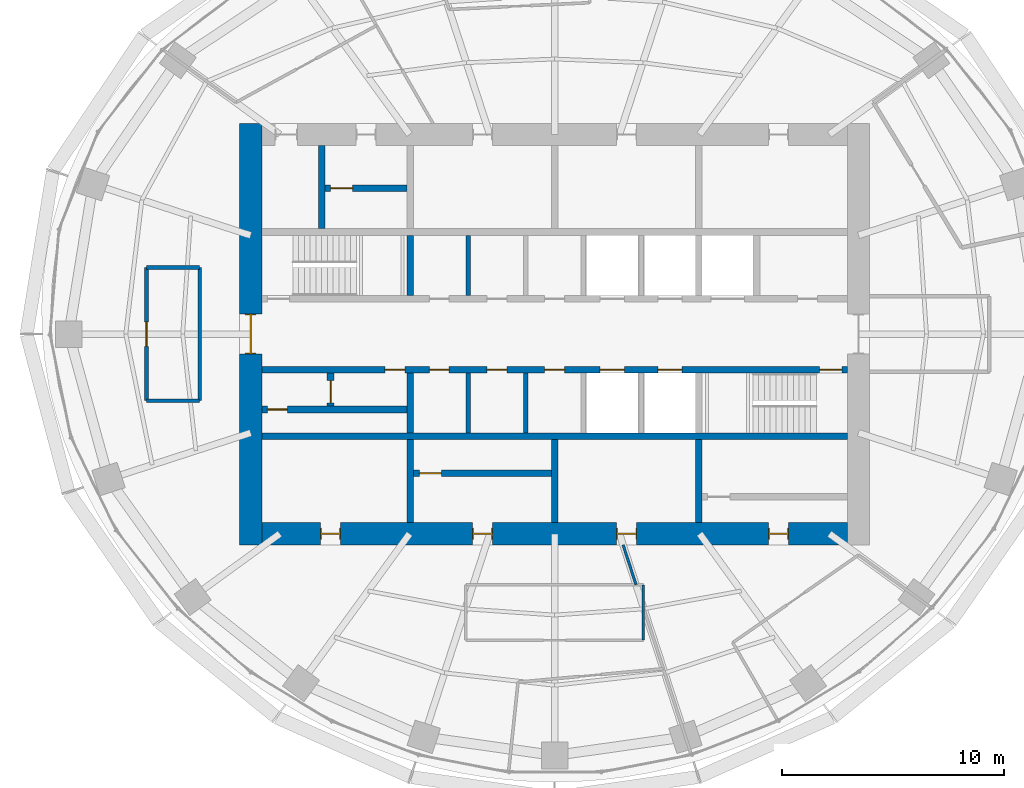
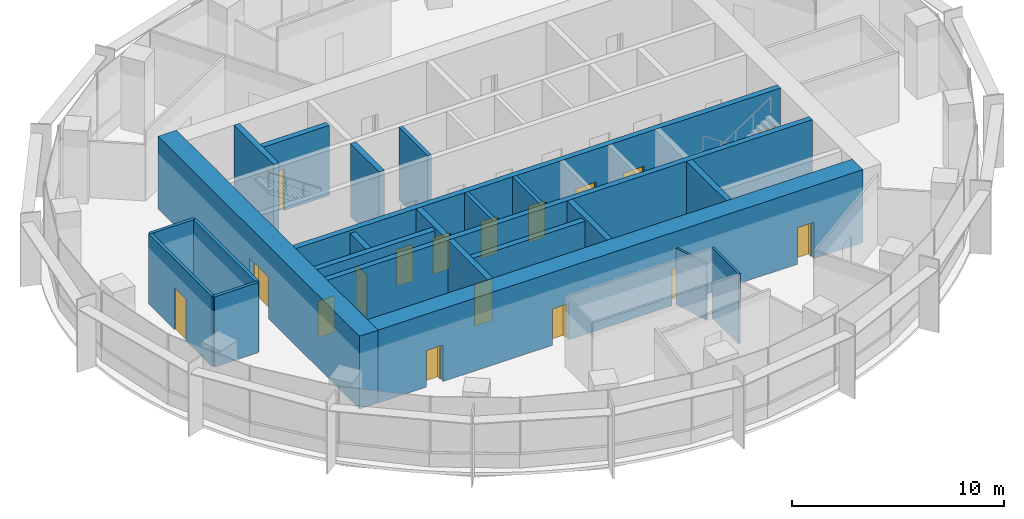
# One storey, part 9 of 13: 23 walls, 17 doors, 17 openings.
"""IFC4 building model written with IfcOpenShell, lengths in metres."""

from ifc_helpers import new_model, si_unit, direction, frame, frame_2d, origin, place, context, subcontext, project, spatial, rectangle, extrude, material, layer, layer_set, type_object, element, fill, save


model = new_model("IFC4")

# Units and contexts
model_context = context("Model", 3, precision=1e-05, world=origin(), true_north=direction((0.0, 1.0)))
body_context = subcontext(model_context, "Body", "Model", "MODEL_VIEW")
ifc_project = project(units=[si_unit("LENGTHUNIT", "METRE"), si_unit("AREAUNIT", "SQUARE_METRE"), si_unit("VOLUMEUNIT", "CUBIC_METRE"), si_unit("PLANEANGLEUNIT", "RADIAN"), si_unit("MASSUNIT", "GRAM", prefix="KILO")], contexts=[model_context])

# Site, building, storey
site_placement = place(None, origin())
site = spatial("IfcSite", under=ifc_project, at=site_placement, CompositionType="ELEMENT")
building_placement = place(site_placement, origin())
building = spatial("IfcBuilding", under=site, at=building_placement, Name="Marramba Exchange Tower", CompositionType="ELEMENT")
storey_placement = place(building_placement, frame((0.0, 0.0, 256.0)))
storey = spatial("IfcBuildingStorey", under=building, at=storey_placement, Name="L62", CompositionType="ELEMENT", Elevation=256.0)

# Walls
ifc_material_1 = material(Name="Plasterboard on staggered double steel studs, acoustic insulation", Category="steel")
ifc_layer_1 = layer(ifc_material_1, 0.169921875)
ifc_layer_set_1 = layer_set([ifc_layer_1], Name="Acoustic partition 170")
wall_type_1 = type_object("IfcWallType", Name="Acoustic partition 170", PredefinedType="PARTITIONING", material=ifc_layer_set_1)
for number, where, z_axis, x_axis, name in (
    (1, (-16.0, -3.0, 0.0), (0.0, 0.0, 1.0), (-1.0, 0.0, 0.0), "Acoustic partition L62 01"),
    (2, (-18.39990234375, 3.0, 0.0), (0.0, 0.0, 1.0), (1.0, 0.0, 0.0), "Acoustic partition L62 25"),
):
    element("IfcWall", number, at=place(storey_placement, frame(where, z_axis=z_axis, x_axis=x_axis)), inside=storey, type_object=wall_type_1, Name=name, PredefinedType="PARTITIONING", context=body_context, shape_type="SweptSolid", body=[
        extrude(rectangle(XDim=2.39990234375, YDim=0.169921875, at=frame_2d((1.199951171875, 0.0))), origin(), (0.0, 0.0, 1.0), 4.0400390625),
    ])

# Wall, opening, door
wall_1_placement = place(storey_placement, frame((-18.39990234375, -3.0, 0.0), z_axis=(0.0, 0.0, 1.0), x_axis=(0.0, 1.0, 0.0)))
wall_1 = element("IfcWall", 3, at=wall_1_placement, inside=storey, type_object=wall_type_1, Name="Acoustic partition L62 26", PredefinedType="PARTITIONING", context=body_context, shape_type="SweptSolid", body=[
    extrude(rectangle(XDim=6.0, YDim=0.169921875, at=frame_2d((3.0, 0.0))), origin(), (0.0, 0.0, 1.0), 4.0400390625),
])
opening_1_placement = place(wall_1_placement, frame((2.449951171875, 0.0, 0.0)))
opening_1 = element("IfcOpeningElement", 4, at=opening_1_placement, cuts=wall_1, Name="Opening D15", PredefinedType="OPENING", context=body_context, shape_type="SweptSolid", body=[
    extrude(rectangle(XDim=1.10009765625, YDim=2.39990234375, at=frame_2d((0.550048828125, 1.199951171875))), frame((0.0, 0.094970703125, 0.0), z_axis=(0.0, -1.0, 0.0), x_axis=(1.0, 0.0, 0.0)), (0.0, 0.0, 1.0), 0.18994140625),
])
ifc_material_2 = material(Name="Timber door", Category="wood")
door_type_1 = type_object("IfcDoorType", Name="Glazed meeting room door 1100x2400", OperationType="SINGLE_SWING_LEFT", PredefinedType="DOOR", material=ifc_material_2)
door_1_placement = place(opening_1_placement, frame((1.10009765625, 0.0, 0.0), z_axis=(0.0, 0.0, 1.0), x_axis=(-1.0, 0.0, 0.0)))
door_1 = element("IfcDoor", 5, at=door_1_placement, inside=storey, type_object=door_type_1, Name="D15 Meeting Room L62", OperationType="SINGLE_SWING_RIGHT", OverallHeight=2.39990234375, OverallWidth=1.10009765625, PredefinedType="DOOR", context=body_context, shape_type="SweptSolid", body=[
    extrude(rectangle(XDim=1.10009765625, YDim=2.39990234375, at=frame_2d((0.550048828125, 1.199951171875))), frame((0.0, 0.025146484375, 0.0), z_axis=(0.0, -1.0, 0.0), x_axis=(1.0, 0.0, 0.0)), (0.0, 0.0, 1.0), 0.050048828125),
])
fill(opening_1, door_1)

# Walls
wall_2_placement = place(storey_placement, frame((-16.0, 3.0, 0.0), z_axis=(0.0, 0.0, 1.0), x_axis=(0.0, -1.0, 0.0)))
element("IfcWall", 6, at=wall_2_placement, inside=storey, type_object=wall_type_1, Name="Acoustic partition L62 27", PredefinedType="PARTITIONING", context=body_context, shape_type="SweptSolid", body=[
    extrude(rectangle(XDim=6.0, YDim=0.169921875, at=frame_2d((3.0, 0.0))), origin(), (0.0, 0.0, 1.0), 4.0400390625),
])
ifc_material_3 = material(Name="Concrete N50", Category="concrete")
ifc_layer_2 = layer(ifc_material_3, 0.199951171875)
ifc_layer_set_2 = layer_set([ifc_layer_2], Name="Core shaft wall 200")
wall_type_2 = type_object("IfcWallType", Name="Core shaft wall 200", PredefinedType="SHEAR", material=ifc_layer_set_2)
for number, where, z_axis, x_axis, name in (
    (7, (-3.89990234375, 1.75, 0.0), (0.0, 0.0, 1.0), (0.0, 1.0, 0.0), "Core wall SHN1 L62"),
    (8, (-3.89990234375, -1.75, 0.0), (0.0, 0.0, 1.0), (0.0, -1.0, 0.0), "Core wall SHS1 L62"),
    (9, (-1.300048828125, -1.75, 0.0), (0.0, 0.0, 1.0), (0.0, -1.0, 0.0), "Core wall SHS2 L62"),
):
    element("IfcWall", number, at=place(storey_placement, frame(where, z_axis=z_axis, x_axis=x_axis)), inside=storey, type_object=wall_type_2, Name=name, PredefinedType="SHEAR", context=body_context, shape_type="SweptSolid", body=[
        extrude(rectangle(XDim=2.699951171875, YDim=0.199951171875, at=frame_2d((1.35009765625, 0.0))), origin(), (0.0, 0.0, 1.0), 4.199951171875),
    ])

# Wall, openings, doors
ifc_layer_3 = layer(ifc_material_3, 1.0)
ifc_layer_set_3 = layer_set([ifc_layer_3], Name="Core wall 1000")
wall_type_3 = type_object("IfcWallType", Name="Core wall 1000", PredefinedType="SHEAR", material=ifc_layer_set_3)
wall_3_placement = place(storey_placement, frame((-13.199951171875, -9.0, 0.0), z_axis=(0.0, 0.0, 1.0), x_axis=(1.0, 0.0, 0.0)))
wall_3 = element("IfcWall", 10, at=wall_3_placement, inside=storey, type_object=wall_type_3, Name="Core wall S L62", PredefinedType="SHEAR", context=body_context, shape_type="SweptSolid", body=[
    extrude(rectangle(XDim=26.39990234375, YDim=1.0, at=frame_2d((13.199951171875, 0.0))), origin(), (0.0, 0.0, 1.0), 4.199951171875),
])
opening_2_placement = place(wall_3_placement, frame((2.64990234375, 0.0, 0.0)))
opening_2 = element("IfcOpeningElement", 11, at=opening_2_placement, cuts=wall_3, Name="Opening D5", PredefinedType="OPENING", context=body_context, shape_type="SweptSolid", body=[
    extrude(rectangle(XDim=0.89990234375, YDim=2.10009765625, at=frame_2d((0.449951171875, 1.050048828125))), frame((0.0, 0.510009765625, 0.0), z_axis=(0.0, -1.0, 0.0), x_axis=(1.0, 0.0, 0.0)), (0.0, 0.0, 1.0), 1.02001953125),
])
opening_3_placement = place(wall_3_placement, frame((9.5, 0.0, 0.0)))
opening_3 = element("IfcOpeningElement", 12, at=opening_3_placement, cuts=wall_3, Name="Opening D5", PredefinedType="OPENING", context=body_context, shape_type="SweptSolid", body=[
    extrude(rectangle(XDim=0.89990234375, YDim=2.10009765625, at=frame_2d((0.449951171875, 1.050048828125))), frame((0.0, 0.510009765625, 0.0), z_axis=(0.0, -1.0, 0.0), x_axis=(1.0, 0.0, 0.0)), (0.0, 0.0, 1.0), 1.02001953125),
])
opening_4_placement = place(wall_3_placement, frame((16.0, 0.0, 0.0)))
opening_4 = element("IfcOpeningElement", 13, at=opening_4_placement, cuts=wall_3, Name="Opening D5", PredefinedType="OPENING", context=body_context, shape_type="SweptSolid", body=[
    extrude(rectangle(XDim=0.89990234375, YDim=2.10009765625, at=frame_2d((0.449951171875, 1.050048828125))), frame((0.0, 0.510009765625, 0.0), z_axis=(0.0, -1.0, 0.0), x_axis=(1.0, 0.0, 0.0)), (0.0, 0.0, 1.0), 1.02001953125),
])
opening_5_placement = place(wall_3_placement, frame((22.85009765625, 0.0, 0.0)))
opening_5 = element("IfcOpeningElement", 14, at=opening_5_placement, cuts=wall_3, Name="Opening D5", PredefinedType="OPENING", context=body_context, shape_type="SweptSolid", body=[
    extrude(rectangle(XDim=0.89990234375, YDim=2.10009765625, at=frame_2d((0.449951171875, 1.050048828125))), frame((0.0, 0.510009765625, 0.0), z_axis=(0.0, -1.0, 0.0), x_axis=(1.0, 0.0, 0.0)), (0.0, 0.0, 1.0), 1.02001953125),
])
ifc_material_4 = material(Name="Steel-framed door", Category="steel")
door_type_2 = type_object("IfcDoorType", Name="Service door 900x2100", OperationType="SINGLE_SWING_LEFT", PredefinedType="DOOR", material=ifc_material_4)
door_2_placement = place(opening_2_placement, origin())
door_2 = element("IfcDoor", 15, at=door_2_placement, inside=storey, type_object=door_type_2, Name="D5 ahu L62", OperationType="SINGLE_SWING_LEFT", OverallHeight=2.10009765625, OverallWidth=0.89990234375, PredefinedType="DOOR", context=body_context, shape_type="SweptSolid", body=[
    extrude(rectangle(XDim=0.81982421875, YDim=2.06005859375, at=frame_2d((0.449951171875, 1.030029296875))), frame((0.0, 0.02490234375, 0.0), z_axis=(0.0, -1.0, 0.0), x_axis=(1.0, 0.0, 0.0)), (0.0, 0.0, 1.0), 0.050048828125),
    extrude(rectangle(XDim=0.04, YDim=2.10009765625, at=frame_2d((0.02001953125, 1.050048828125))), frame((0.0, 0.25, 0.0), z_axis=(0.0, -1.0, 0.0), x_axis=(1.0, 0.0, 0.0)), (0.0, 0.0, 1.0), 0.5),
    extrude(rectangle(XDim=0.04, YDim=2.10009765625, at=frame_2d((0.8798828125, 1.050048828125))), frame((0.0, 0.25, 0.0), z_axis=(0.0, -1.0, 0.0), x_axis=(1.0, 0.0, 0.0)), (0.0, 0.0, 1.0), 0.5),
    extrude(rectangle(XDim=0.81982421875, YDim=0.04, at=frame_2d((0.449951171875, 2.080078125))), frame((0.0, 0.25, 0.0), z_axis=(0.0, -1.0, 0.0), x_axis=(1.0, 0.0, 0.0)), (0.0, 0.0, 1.0), 0.5),
])
fill(opening_2, door_2)
door_3_placement = place(opening_3_placement, origin())
door_3 = element("IfcDoor", 16, at=door_3_placement, inside=storey, type_object=door_type_2, Name="D5 store L62", OperationType="SINGLE_SWING_RIGHT", OverallHeight=2.10009765625, OverallWidth=0.89990234375, PredefinedType="DOOR", context=body_context, shape_type="SweptSolid", body=[
    extrude(rectangle(XDim=0.81982421875, YDim=2.06005859375, at=frame_2d((0.449951171875, 1.030029296875))), frame((0.0, 0.02490234375, 0.0), z_axis=(0.0, -1.0, 0.0), x_axis=(1.0, 0.0, 0.0)), (0.0, 0.0, 1.0), 0.050048828125),
    extrude(rectangle(XDim=0.04, YDim=2.10009765625, at=frame_2d((0.02001953125, 1.050048828125))), frame((0.0, 0.25, 0.0), z_axis=(0.0, -1.0, 0.0), x_axis=(1.0, 0.0, 0.0)), (0.0, 0.0, 1.0), 0.5),
    extrude(rectangle(XDim=0.04, YDim=2.10009765625, at=frame_2d((0.8798828125, 1.050048828125))), frame((0.0, 0.25, 0.0), z_axis=(0.0, -1.0, 0.0), x_axis=(1.0, 0.0, 0.0)), (0.0, 0.0, 1.0), 0.5),
    extrude(rectangle(XDim=0.81982421875, YDim=0.04, at=frame_2d((0.449951171875, 2.080078125))), frame((0.0, 0.25, 0.0), z_axis=(0.0, -1.0, 0.0), x_axis=(1.0, 0.0, 0.0)), (0.0, 0.0, 1.0), 0.5),
])
fill(opening_3, door_3)
door_4_placement = place(opening_4_placement, origin())
door_4 = element("IfcDoor", 17, at=door_4_placement, inside=storey, type_object=door_type_2, Name="D5 switch L62", OperationType="SINGLE_SWING_RIGHT", OverallHeight=2.10009765625, OverallWidth=0.89990234375, PredefinedType="DOOR", context=body_context, shape_type="SweptSolid", body=[
    extrude(rectangle(XDim=0.81982421875, YDim=2.06005859375, at=frame_2d((0.449951171875, 1.030029296875))), frame((0.0, 0.02490234375, 0.0), z_axis=(0.0, -1.0, 0.0), x_axis=(1.0, 0.0, 0.0)), (0.0, 0.0, 1.0), 0.050048828125),
    extrude(rectangle(XDim=0.04, YDim=2.10009765625, at=frame_2d((0.02001953125, 1.050048828125))), frame((0.0, 0.25, 0.0), z_axis=(0.0, -1.0, 0.0), x_axis=(1.0, 0.0, 0.0)), (0.0, 0.0, 1.0), 0.5),
    extrude(rectangle(XDim=0.04, YDim=2.10009765625, at=frame_2d((0.8798828125, 1.050048828125))), frame((0.0, 0.25, 0.0), z_axis=(0.0, -1.0, 0.0), x_axis=(1.0, 0.0, 0.0)), (0.0, 0.0, 1.0), 0.5),
    extrude(rectangle(XDim=0.81982421875, YDim=0.04, at=frame_2d((0.449951171875, 2.080078125))), frame((0.0, 0.25, 0.0), z_axis=(0.0, -1.0, 0.0), x_axis=(1.0, 0.0, 0.0)), (0.0, 0.0, 1.0), 0.5),
])
fill(opening_4, door_4)
door_5_placement = place(opening_5_placement, origin())
door_5 = element("IfcDoor", 18, at=door_5_placement, inside=storey, type_object=door_type_2, Name="D5 cstore L62", OperationType="SINGLE_SWING_RIGHT", OverallHeight=2.10009765625, OverallWidth=0.89990234375, PredefinedType="DOOR", context=body_context, shape_type="SweptSolid", body=[
    extrude(rectangle(XDim=0.81982421875, YDim=2.06005859375, at=frame_2d((0.449951171875, 1.030029296875))), frame((0.0, 0.02490234375, 0.0), z_axis=(0.0, -1.0, 0.0), x_axis=(1.0, 0.0, 0.0)), (0.0, 0.0, 1.0), 0.050048828125),
    extrude(rectangle(XDim=0.04, YDim=2.10009765625, at=frame_2d((0.02001953125, 1.050048828125))), frame((0.0, 0.25, 0.0), z_axis=(0.0, -1.0, 0.0), x_axis=(1.0, 0.0, 0.0)), (0.0, 0.0, 1.0), 0.5),
    extrude(rectangle(XDim=0.04, YDim=2.10009765625, at=frame_2d((0.8798828125, 1.050048828125))), frame((0.0, 0.25, 0.0), z_axis=(0.0, -1.0, 0.0), x_axis=(1.0, 0.0, 0.0)), (0.0, 0.0, 1.0), 0.5),
    extrude(rectangle(XDim=0.81982421875, YDim=0.04, at=frame_2d((0.449951171875, 2.080078125))), frame((0.0, 0.25, 0.0), z_axis=(0.0, -1.0, 0.0), x_axis=(1.0, 0.0, 0.0)), (0.0, 0.0, 1.0), 0.5),
])
fill(opening_5, door_5)

# Wall, opening, door
wall_4_placement = place(storey_placement, frame((-13.699951171875, 9.5, 0.0), z_axis=(0.0, 0.0, 1.0), x_axis=(0.0, -1.0, 0.0)))
wall_4 = element("IfcWall", 19, at=wall_4_placement, inside=storey, type_object=wall_type_3, Name="Core wall W L62", PredefinedType="SHEAR", context=body_context, shape_type="SweptSolid", body=[
    extrude(rectangle(XDim=19.0, YDim=1.0, at=frame_2d((9.5, 0.0))), origin(), (0.0, 0.0, 1.0), 4.199951171875),
])
opening_6_placement = place(wall_4_placement, frame((8.60009765625, 0.0, 0.0)))
opening_6 = element("IfcOpeningElement", 20, at=opening_6_placement, cuts=wall_4, Name="Opening D1", PredefinedType="OPENING", context=body_context, shape_type="SweptSolid", body=[
    extrude(rectangle(XDim=1.800048828125, YDim=2.39990234375, at=frame_2d((0.89990234375, 1.199951171875))), frame((0.0, 0.510009765625, 0.0), z_axis=(0.0, -1.0, 0.0), x_axis=(1.0, 0.0, 0.0)), (0.0, 0.0, 1.0), 1.02001953125),
])
door_type_3 = type_object("IfcDoorType", Name="Lobby exit door 1800x2400", OperationType="DOUBLE_DOOR_SINGLE_SWING", PredefinedType="DOOR", material=ifc_material_4)
door_6_placement = place(opening_6_placement, origin())
door_6 = element("IfcDoor", 21, at=door_6_placement, inside=storey, type_object=door_type_3, Name="D1 lobby exit west L62", OperationType="DOUBLE_DOOR_SINGLE_SWING", OverallHeight=2.39990234375, OverallWidth=1.800048828125, PredefinedType="DOOR", context=body_context, shape_type="SweptSolid", body=[
    extrude(rectangle(XDim=1.719970703125, YDim=2.35986328125, at=frame_2d((0.89990234375, 1.179931640625))), frame((0.0, 0.02490234375, 0.0), z_axis=(0.0, -1.0, 0.0), x_axis=(1.0, 0.0, 0.0)), (0.0, 0.0, 1.0), 0.050048828125),
    extrude(rectangle(XDim=0.04, YDim=2.39990234375, at=frame_2d((0.02001953125, 1.199951171875))), frame((0.0, 0.25, 0.0), z_axis=(0.0, -1.0, 0.0), x_axis=(1.0, 0.0, 0.0)), (0.0, 0.0, 1.0), 0.5),
    extrude(rectangle(XDim=0.04, YDim=2.39990234375, at=frame_2d((1.780029296875, 1.199951171875))), frame((0.0, 0.25, 0.0), z_axis=(0.0, -1.0, 0.0), x_axis=(1.0, 0.0, 0.0)), (0.0, 0.0, 1.0), 0.5),
    extrude(rectangle(XDim=1.719970703125, YDim=0.04, at=frame_2d((0.89990234375, 2.3798828125))), frame((0.0, 0.25, 0.0), z_axis=(0.0, -1.0, 0.0), x_axis=(1.0, 0.0, 0.0)), (0.0, 0.0, 1.0), 0.5),
])
fill(opening_6, door_6)

# Wall, openings, doors
ifc_layer_4 = layer(ifc_material_3, 0.300048828125)
ifc_layer_set_4 = layer_set([ifc_layer_4], Name="Core wall 300")
wall_type_4 = type_object("IfcWallType", Name="Core wall 300", PredefinedType="SHEAR", material=ifc_layer_set_4)
wall_5_placement = place(storey_placement, frame((-13.199951171875, -1.60009765625, 0.0), z_axis=(0.0, 0.0, 1.0), x_axis=(1.0, 0.0, 0.0)))
wall_5 = element("IfcWall", 22, at=wall_5_placement, inside=storey, type_object=wall_type_4, Name="Core wall LS L62", PredefinedType="SHEAR", context=body_context, shape_type="SweptSolid", body=[
    extrude(rectangle(XDim=26.39990234375, YDim=0.300048828125, at=frame_2d((13.199951171875, 0.0))), origin(), (0.0, 0.0, 1.0), 4.199951171875),
])
opening_7_placement = place(wall_5_placement, frame((25.14990234375, 0.0, 0.0)))
opening_7 = element("IfcOpeningElement", 23, at=opening_7_placement, cuts=wall_5, Name="Opening D2", PredefinedType="OPENING", context=body_context, shape_type="SweptSolid", body=[
    extrude(rectangle(XDim=1.0, YDim=2.10009765625, at=frame_2d((0.5, 1.050048828125))), frame((0.0, 0.159912109375, 0.0), z_axis=(0.0, -1.0, 0.0), x_axis=(1.0, 0.0, 0.0)), (0.0, 0.0, 1.0), 0.320068359375),
])
opening_8_placement = place(wall_5_placement, frame((7.550048828125, 0.0, 0.0)))
opening_8 = element("IfcOpeningElement", 24, at=opening_8_placement, cuts=wall_5, Name="Opening D5", PredefinedType="OPENING", context=body_context, shape_type="SweptSolid", body=[
    extrude(rectangle(XDim=0.89990234375, YDim=2.10009765625, at=frame_2d((0.449951171875, 1.050048828125))), frame((0.0, 0.159912109375, 0.0), z_axis=(0.0, -1.0, 0.0), x_axis=(1.0, 0.0, 0.0)), (0.0, 0.0, 1.0), 0.320068359375),
])
opening_9_placement = place(wall_5_placement, frame((10.14990234375, 0.0, 0.0)))
opening_9 = element("IfcOpeningElement", 25, at=opening_9_placement, cuts=wall_5, Name="Opening D5", PredefinedType="OPENING", context=body_context, shape_type="SweptSolid", body=[
    extrude(rectangle(XDim=0.89990234375, YDim=2.10009765625, at=frame_2d((0.449951171875, 1.050048828125))), frame((0.0, 0.159912109375, 0.0), z_axis=(0.0, -1.0, 0.0), x_axis=(1.0, 0.0, 0.0)), (0.0, 0.0, 1.0), 0.320068359375),
])
opening_10_placement = place(wall_5_placement, frame((12.75, 0.0, 0.0)))
opening_10 = element("IfcOpeningElement", 26, at=opening_10_placement, cuts=wall_5, Name="Opening D5", PredefinedType="OPENING", context=body_context, shape_type="SweptSolid", body=[
    extrude(rectangle(XDim=0.89990234375, YDim=2.10009765625, at=frame_2d((0.449951171875, 1.050048828125))), frame((0.0, 0.159912109375, 0.0), z_axis=(0.0, -1.0, 0.0), x_axis=(1.0, 0.0, 0.0)), (0.0, 0.0, 1.0), 0.320068359375),
])
opening_11_placement = place(wall_5_placement, frame((15.25, 0.0, 0.0)))
opening_11 = element("IfcOpeningElement", 27, at=opening_11_placement, cuts=wall_5, Name="Opening LD2", PredefinedType="OPENING", context=body_context, shape_type="SweptSolid", body=[
    extrude(rectangle(XDim=1.10009765625, YDim=2.300048828125, at=frame_2d((0.550048828125, 1.14990234375))), frame((0.0, 0.159912109375, 0.0), z_axis=(0.0, -1.0, 0.0), x_axis=(1.0, 0.0, 0.0)), (0.0, 0.0, 1.0), 0.320068359375),
])
opening_12_placement = place(wall_5_placement, frame((17.85009765625, 0.0, 0.0)))
opening_12 = element("IfcOpeningElement", 28, at=opening_12_placement, cuts=wall_5, Name="Opening LD2", PredefinedType="OPENING", context=body_context, shape_type="SweptSolid", body=[
    extrude(rectangle(XDim=1.10009765625, YDim=2.300048828125, at=frame_2d((0.550048828125, 1.14990234375))), frame((0.0, 0.159912109375, 0.0), z_axis=(0.0, -1.0, 0.0), x_axis=(1.0, 0.0, 0.0)), (0.0, 0.0, 1.0), 0.320068359375),
])
opening_13_placement = place(wall_5_placement, frame((5.550048828125, 0.0, 0.0)))
opening_13 = element("IfcOpeningElement", 29, at=opening_13_placement, cuts=wall_5, Name="Opening D5", PredefinedType="OPENING", context=body_context, shape_type="SweptSolid", body=[
    extrude(rectangle(XDim=0.89990234375, YDim=2.10009765625, at=frame_2d((0.449951171875, 1.050048828125))), frame((0.0, 0.159912109375, 0.0), z_axis=(0.0, -1.0, 0.0), x_axis=(1.0, 0.0, 0.0)), (0.0, 0.0, 1.0), 0.320068359375),
])
door_type_4 = type_object("IfcDoorType", Name="Emergency lift landing door 1100x2300", OperationType="SLIDING_TO_LEFT", PredefinedType="DOOR", material=ifc_material_4)
door_7_placement = place(opening_11_placement, frame((1.10009765625, 0.0, 0.0), z_axis=(0.0, 0.0, 1.0), x_axis=(-1.0, 0.0, 0.0)))
door_7 = element("IfcDoor", 30, at=door_7_placement, inside=storey, type_object=door_type_4, Name="FL1 landing door L62", OperationType="SLIDING_TO_RIGHT", OverallHeight=2.300048828125, OverallWidth=1.10009765625, PredefinedType="DOOR", context=body_context, shape_type="SweptSolid", body=[
    extrude(rectangle(XDim=1.10009765625, YDim=2.300048828125, at=frame_2d((0.550048828125, 1.14990234375))), frame((0.0, 0.025146484375, 0.0), z_axis=(0.0, -1.0, 0.0), x_axis=(1.0, 0.0, 0.0)), (0.0, 0.0, 1.0), 0.050048828125),
])
fill(opening_11, door_7)
door_8_placement = place(opening_12_placement, frame((1.10009765625, 0.0, 0.0), z_axis=(0.0, 0.0, 1.0), x_axis=(-1.0, 0.0, 0.0)))
door_8 = element("IfcDoor", 31, at=door_8_placement, inside=storey, type_object=door_type_4, Name="FL2 landing door L62", OperationType="SLIDING_TO_LEFT", OverallHeight=2.300048828125, OverallWidth=1.10009765625, PredefinedType="DOOR", context=body_context, shape_type="SweptSolid", body=[
    extrude(rectangle(XDim=1.10009765625, YDim=2.300048828125, at=frame_2d((0.550048828125, 1.14990234375))), frame((0.0, 0.025146484375, 0.0), z_axis=(0.0, -1.0, 0.0), x_axis=(1.0, 0.0, 0.0)), (0.0, 0.0, 1.0), 0.050048828125),
])
fill(opening_12, door_8)
door_9_placement = place(opening_8_placement, frame((0.89990234375, 0.0, 0.0), z_axis=(0.0, 0.0, 1.0), x_axis=(-1.0, 0.0, 0.0)))
door_9 = element("IfcDoor", 32, at=door_9_placement, inside=storey, type_object=door_type_2, Name="D5 cleaner store L62", OperationType="SINGLE_SWING_RIGHT", OverallHeight=2.10009765625, OverallWidth=0.89990234375, PredefinedType="DOOR", context=body_context, shape_type="SweptSolid", body=[
    extrude(rectangle(XDim=0.89990234375, YDim=2.10009765625, at=frame_2d((0.449951171875, 1.050048828125))), frame((0.0, 0.025146484375, 0.0), z_axis=(0.0, -1.0, 0.0), x_axis=(1.0, 0.0, 0.0)), (0.0, 0.0, 1.0), 0.050048828125),
])
fill(opening_8, door_9)
door_10_placement = place(opening_9_placement, frame((0.89990234375, 0.0, 0.0), z_axis=(0.0, 0.0, 1.0), x_axis=(-1.0, 0.0, 0.0)))
door_10 = element("IfcDoor", 33, at=door_10_placement, inside=storey, type_object=door_type_2, Name="D5 general store L62", OperationType="SINGLE_SWING_RIGHT", OverallHeight=2.10009765625, OverallWidth=0.89990234375, PredefinedType="DOOR", context=body_context, shape_type="SweptSolid", body=[
    extrude(rectangle(XDim=0.89990234375, YDim=2.10009765625, at=frame_2d((0.449951171875, 1.050048828125))), frame((0.0, 0.025146484375, 0.0), z_axis=(0.0, -1.0, 0.0), x_axis=(1.0, 0.0, 0.0)), (0.0, 0.0, 1.0), 0.050048828125),
])
fill(opening_9, door_10)
door_11_placement = place(opening_10_placement, frame((0.89990234375, 0.0, 0.0), z_axis=(0.0, 0.0, 1.0), x_axis=(-1.0, 0.0, 0.0)))
door_11 = element("IfcDoor", 34, at=door_11_placement, inside=storey, type_object=door_type_2, Name="D5 it equipment room n1 L62", OperationType="SINGLE_SWING_RIGHT", OverallHeight=2.10009765625, OverallWidth=0.89990234375, PredefinedType="DOOR", context=body_context, shape_type="SweptSolid", body=[
    extrude(rectangle(XDim=0.89990234375, YDim=2.10009765625, at=frame_2d((0.449951171875, 1.050048828125))), frame((0.0, 0.025146484375, 0.0), z_axis=(0.0, -1.0, 0.0), x_axis=(1.0, 0.0, 0.0)), (0.0, 0.0, 1.0), 0.050048828125),
])
fill(opening_10, door_11)
door_12_placement = place(opening_13_placement, frame((0.89990234375, 0.0, 0.0), z_axis=(0.0, 0.0, 1.0), x_axis=(-1.0, 0.0, 0.0)))
door_12 = element("IfcDoor", 35, at=door_12_placement, inside=storey, type_object=door_type_2, Name="D5 electrical riser L62", OperationType="SINGLE_SWING_LEFT", OverallHeight=2.10009765625, OverallWidth=0.89990234375, PredefinedType="DOOR", context=body_context, shape_type="SweptSolid", body=[
    extrude(rectangle(XDim=0.89990234375, YDim=2.10009765625, at=frame_2d((0.449951171875, 1.050048828125))), frame((0.0, 0.025146484375, 0.0), z_axis=(0.0, -1.0, 0.0), x_axis=(1.0, 0.0, 0.0)), (0.0, 0.0, 1.0), 0.050048828125),
])
fill(opening_13, door_12)
door_type_5 = type_object("IfcDoorType", Name="Stair door 1000x2100", OperationType="SINGLE_SWING_LEFT", PredefinedType="DOOR", material=ifc_material_4)
door_13_placement = place(opening_7_placement, frame((1.0, 0.0, 0.0), z_axis=(0.0, 0.0, 1.0), x_axis=(-1.0, 0.0, 0.0)))
door_13 = element("IfcDoor", 36, at=door_13_placement, inside=storey, type_object=door_type_5, Name="D2 stair ST2 L62", OperationType="SINGLE_SWING_LEFT", OverallHeight=2.10009765625, OverallWidth=1.0, PredefinedType="DOOR", context=body_context, shape_type="SweptSolid", body=[
    extrude(rectangle(XDim=1.0, YDim=2.10009765625, at=frame_2d((0.5, 1.050048828125))), frame((0.0, 0.025146484375, 0.0), z_axis=(0.0, -1.0, 0.0), x_axis=(1.0, 0.0, 0.0)), (0.0, 0.0, 1.0), 0.050048828125),
])
fill(opening_7, door_13)

# Walls
wall_6_placement = place(storey_placement, frame((-13.199951171875, -4.60009765625, 0.0), z_axis=(0.0, 0.0, 1.0), x_axis=(1.0, 0.0, 0.0)))
element("IfcWall", 37, at=wall_6_placement, inside=storey, type_object=wall_type_4, Name="Core wall BS L62", PredefinedType="SHEAR", context=body_context, shape_type="SweptSolid", body=[
    extrude(rectangle(XDim=26.39990234375, YDim=0.300048828125, at=frame_2d((13.199951171875, 0.0))), origin(), (0.0, 0.0, 1.0), 4.199951171875),
])
for number, where, z_axis, x_axis, name in (
    (38, (-6.5, 1.75, 0.0), (0.0, 0.0, 1.0), (0.0, 1.0, 0.0), "Core wall X0Na L62"),
    (39, (-6.5, -1.75, 0.0), (0.0, 0.0, 1.0), (0.0, -1.0, 0.0), "Core wall X0Sa L62"),
):
    element("IfcWall", number, at=place(storey_placement, frame(where, z_axis=z_axis, x_axis=x_axis)), inside=storey, type_object=wall_type_4, Name=name, PredefinedType="SHEAR", context=body_context, shape_type="SweptSolid", body=[
        extrude(rectangle(XDim=2.699951171875, YDim=0.300048828125, at=frame_2d((1.35009765625, 0.0))), origin(), (0.0, 0.0, 1.0), 4.199951171875),
    ])
for number, where, z_axis, x_axis, name in (
    (40, (-6.5, -4.75, 0.0), (0.0, 0.0, 1.0), (0.0, -1.0, 0.0), "Core wall X0Sb L62"),
    (41, (6.5, -4.75, 0.0), (0.0, 0.0, 1.0), (0.0, -1.0, 0.0), "Core wall X1Sb L62"),
    (42, (0.0, -4.75, 0.0), (0.0, 0.0, 1.0), (0.0, -1.0, 0.0), "Core wall MS L62"),
    (43, (-10.5, 4.75, 0.0), (0.0, 0.0, 1.0), (0.0, 1.0, 0.0), "Core wall WD L62"),
):
    element("IfcWall", number, at=place(storey_placement, frame(where, z_axis=z_axis, x_axis=x_axis)), inside=storey, type_object=wall_type_4, Name=name, PredefinedType="SHEAR", context=body_context, shape_type="SweptSolid", body=[
        extrude(rectangle(XDim=3.75, YDim=0.300048828125, at=frame_2d((1.875, 0.0))), origin(), (0.0, 0.0, 1.0), 4.199951171875),
    ])
ifc_material_5 = material(Name="Plasterboard on steel studs", Category="steel")
ifc_layer_5 = layer(ifc_material_5, 0.1201171875)
ifc_layer_set_5 = layer_set([ifc_layer_5], Name="Partition 120")
wall_type_5 = type_object("IfcWallType", Name="Partition 120", PredefinedType="PARTITIONING", material=ifc_layer_set_5)
wall_7_placement = place(storey_placement, frame((4.0, -13.800048828125, 0.0), z_axis=(0.0, 0.0, 1.0), x_axis=(0.0, 1.0, 0.0)))
element("IfcWall", 44, at=wall_7_placement, inside=storey, type_object=wall_type_5, Name="Partition L62 07", PredefinedType="PARTITIONING", context=body_context, shape_type="SweptSolid", body=[
    extrude(rectangle(XDim=2.5, YDim=0.1201171875, at=frame_2d((1.25, 0.0))), origin(), (0.0, 0.0, 1.0), 4.0400390625),
])
wall_8_placement = place(storey_placement, frame((3.671630859375, -11.300048828125, 0.0), z_axis=(0.0, 0.0, 1.0), x_axis=(-0.309059822154, 0.95104259964, 0.0)))
element("IfcWall", 45, at=wall_8_placement, inside=storey, type_object=wall_type_5, Name="Partition L62 09", PredefinedType="PARTITIONING", context=body_context, shape_type="SweptSolid", body=[
    extrude(rectangle(XDim=1.892822265625, YDim=0.1201171875, at=frame_2d((0.9462890625, 0.0))), origin(), (0.0, 0.0, 1.0), 3.239990234375),
])

# Wall, opening, door
ifc_material_6 = material(Name="Core-filled concrete blockwork", Category="masonry")
ifc_layer_6 = layer(ifc_material_6, 0.300048828125)
ifc_layer_set_6 = layer_set([ifc_layer_6], Name="Riser enclosure wall 300")
wall_type_6 = type_object("IfcWallType", Name="Riser enclosure wall 300", PredefinedType="SOLIDWALL", material=ifc_layer_set_6)
wall_9_placement = place(storey_placement, frame((-13.199951171875, -3.39990234375, 0.0), z_axis=(0.0, 0.0, 1.0), x_axis=(1.0, 0.0, 0.0)))
wall_9 = element("IfcWall", 46, at=wall_9_placement, inside=storey, type_object=wall_type_6, Name="Riser enclosure wall L62", PredefinedType="SOLIDWALL", context=body_context, shape_type="SweptSolid", body=[
    extrude(rectangle(XDim=6.550048828125, YDim=0.300048828125, at=frame_2d((3.27490234375, 0.0))), origin(), (0.0, 0.0, 1.0), 4.0400390625),
])
opening_14_placement = place(wall_9_placement, frame((0.25, 0.0, 0.0)))
opening_14 = element("IfcOpeningElement", 47, at=opening_14_placement, cuts=wall_9, Name="Opening D5", PredefinedType="OPENING", context=body_context, shape_type="SweptSolid", body=[
    extrude(rectangle(XDim=0.89990234375, YDim=2.10009765625, at=frame_2d((0.449951171875, 1.050048828125))), frame((0.0, 0.159912109375, 0.0), z_axis=(0.0, -1.0, 0.0), x_axis=(1.0, 0.0, 0.0)), (0.0, 0.0, 1.0), 0.320068359375),
])
door_14_placement = place(opening_14_placement, origin())
door_14 = element("IfcDoor", 48, at=door_14_placement, inside=storey, type_object=door_type_2, Name="D5 electrical riser back L62", OperationType="SINGLE_SWING_LEFT", OverallHeight=2.10009765625, OverallWidth=0.89990234375, PredefinedType="DOOR", context=body_context, shape_type="SweptSolid", body=[
    extrude(rectangle(XDim=0.89990234375, YDim=2.10009765625, at=frame_2d((0.449951171875, 1.050048828125))), frame((0.0, 0.02490234375, 0.0), z_axis=(0.0, -1.0, 0.0), x_axis=(1.0, 0.0, 0.0)), (0.0, 0.0, 1.0), 0.050048828125),
])
fill(opening_14, door_14)

ifc_material_7 = material(Name="Plasterboard on steel studs, insulated, unrated", Category="steel")
ifc_layer_7 = layer(ifc_material_7, 0.300048828125)
ifc_layer_set_7 = layer_set([ifc_layer_7], Name="Store partition 300")
wall_type_7 = type_object("IfcWallType", Name="Store partition 300", PredefinedType="PARTITIONING", material=ifc_layer_set_7)
wall_10_placement = place(storey_placement, frame((-10.35009765625, 6.580078125, 0.0), z_axis=(0.0, 0.0, 1.0), x_axis=(1.0, 0.0, 0.0)))
wall_10 = element("IfcWall", 49, at=wall_10_placement, inside=storey, type_object=wall_type_7, Name="Store partition L62 cleaner", PredefinedType="PARTITIONING", context=body_context, shape_type="SweptSolid", body=[
    extrude(rectangle(XDim=3.7001953125, YDim=0.300048828125, at=frame_2d((1.85009765625, 0.0))), origin(), (0.0, 0.0, 1.0), 4.0400390625),
])
opening_15_placement = place(wall_10_placement, frame((0.25, 0.0, 0.0)))
opening_15 = element("IfcOpeningElement", 50, at=opening_15_placement, cuts=wall_10, Name="Opening D9", PredefinedType="OPENING", context=body_context, shape_type="SweptSolid", body=[
    extrude(rectangle(XDim=1.0, YDim=2.39990234375, at=frame_2d((0.5, 1.199951171875))), frame((0.0, 0.159912109375, 0.0), z_axis=(0.0, -1.0, 0.0), x_axis=(1.0, 0.0, 0.0)), (0.0, 0.0, 1.0), 0.320068359375),
])
door_type_6 = type_object("IfcDoorType", Name="Room door 1000x2400", OperationType="SINGLE_SWING_LEFT", PredefinedType="DOOR", material=ifc_material_2)
door_15_placement = place(opening_15_placement, frame((1.0, 0.0, 0.0), z_axis=(0.0, 0.0, 1.0), x_axis=(-1.0, 0.0, 0.0)))
door_15 = element("IfcDoor", 51, at=door_15_placement, inside=storey, type_object=door_type_6, Name="D9 cleaning store L62", OperationType="SINGLE_SWING_RIGHT", OverallHeight=2.39990234375, OverallWidth=1.0, PredefinedType="DOOR", context=body_context, shape_type="SweptSolid", body=[
    extrude(rectangle(XDim=1.0, YDim=2.39990234375, at=frame_2d((0.5, 1.199951171875))), frame((0.0, 0.025146484375, 0.0), z_axis=(0.0, -1.0, 0.0), x_axis=(1.0, 0.0, 0.0)), (0.0, 0.0, 1.0), 0.050048828125),
])
fill(opening_15, door_15)

wall_11_placement = place(storey_placement, frame((-6.35009765625, -6.27197265625, 0.0), z_axis=(0.0, 0.0, 1.0), x_axis=(1.0, 0.0, 0.0)))
wall_11 = element("IfcWall", 52, at=wall_11_placement, inside=storey, type_object=wall_type_7, Name="Store partition L62 store", PredefinedType="PARTITIONING", context=body_context, shape_type="SweptSolid", body=[
    extrude(rectangle(XDim=6.2001953125, YDim=0.300048828125, at=frame_2d((3.10009765625, 0.0))), origin(), (0.0, 0.0, 1.0), 4.0400390625),
])
opening_16_placement = place(wall_11_placement, frame((0.25, 0.0, 0.0)))
opening_16 = element("IfcOpeningElement", 53, at=opening_16_placement, cuts=wall_11, Name="Opening D9", PredefinedType="OPENING", context=body_context, shape_type="SweptSolid", body=[
    extrude(rectangle(XDim=1.0, YDim=2.39990234375, at=frame_2d((0.5, 1.199951171875))), frame((0.0, 0.159912109375, 0.0), z_axis=(0.0, -1.0, 0.0), x_axis=(1.0, 0.0, 0.0)), (0.0, 0.0, 1.0), 0.320068359375),
])
door_16_placement = place(opening_16_placement, origin())
door_16 = element("IfcDoor", 54, at=door_16_placement, inside=storey, type_object=door_type_6, Name="D9 stationery store L62", OperationType="SINGLE_SWING_LEFT", OverallHeight=2.39990234375, OverallWidth=1.0, PredefinedType="DOOR", context=body_context, shape_type="SweptSolid", body=[
    extrude(rectangle(XDim=1.0, YDim=2.39990234375, at=frame_2d((0.5, 1.199951171875))), frame((0.0, 0.02490234375, 0.0), z_axis=(0.0, -1.0, 0.0), x_axis=(1.0, 0.0, 0.0)), (0.0, 0.0, 1.0), 0.050048828125),
])
fill(opening_16, door_16)

wall_12_placement = place(storey_placement, frame((-10.10009765625, -3.25, 0.0), z_axis=(0.0, 0.0, 1.0), x_axis=(0.0, 1.0, 0.0)))
wall_12 = element("IfcWall", 55, at=wall_12_placement, inside=storey, type_object=wall_type_7, Name="Store partition L62 tool store", PredefinedType="PARTITIONING", context=body_context, shape_type="SweptSolid", body=[
    extrude(rectangle(XDim=1.5, YDim=0.300048828125, at=frame_2d((0.75, 0.0))), origin(), (0.0, 0.0, 1.0), 4.0400390625),
])
opening_17_placement = place(wall_12_placement, frame((0.14990234375, 0.0, 0.0)))
opening_17 = element("IfcOpeningElement", 56, at=opening_17_placement, cuts=wall_12, Name="Opening D9", PredefinedType="OPENING", context=body_context, shape_type="SweptSolid", body=[
    extrude(rectangle(XDim=1.0, YDim=2.39990234375, at=frame_2d((0.5, 1.199951171875))), frame((0.0, 0.159912109375, 0.0), z_axis=(0.0, -1.0, 0.0), x_axis=(1.0, 0.0, 0.0)), (0.0, 0.0, 1.0), 0.320068359375),
])
door_17_placement = place(opening_17_placement, origin())
door_17 = element("IfcDoor", 57, at=door_17_placement, inside=storey, type_object=door_type_6, Name="D9 tool store L62", OperationType="SINGLE_SWING_LEFT", OverallHeight=2.39990234375, OverallWidth=1.0, PredefinedType="DOOR", context=body_context, shape_type="SweptSolid", body=[
    extrude(rectangle(XDim=1.0, YDim=2.39990234375, at=frame_2d((0.5, 1.199951171875))), frame((0.0, 0.02490234375, 0.0), z_axis=(0.0, -1.0, 0.0), x_axis=(1.0, 0.0, 0.0)), (0.0, 0.0, 1.0), 0.050048828125),
])
fill(opening_17, door_17)

save(model, "model.ifc")
